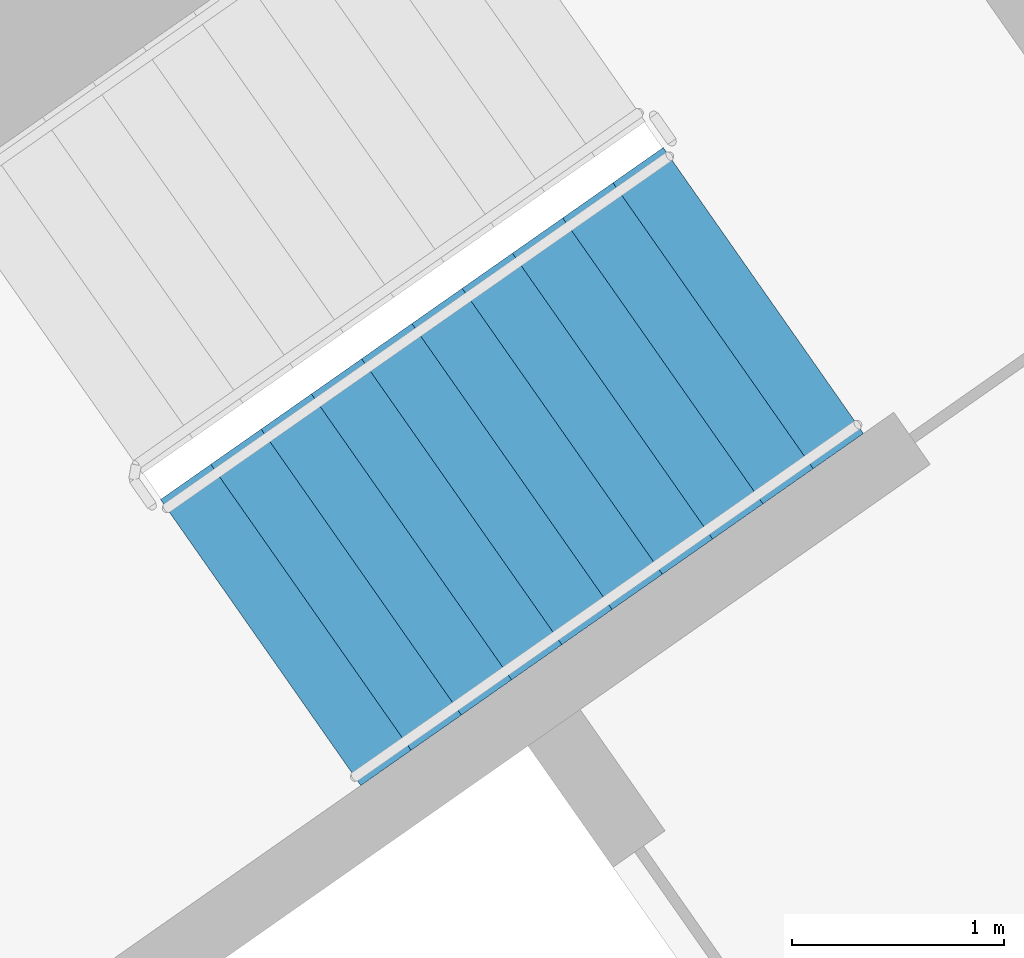
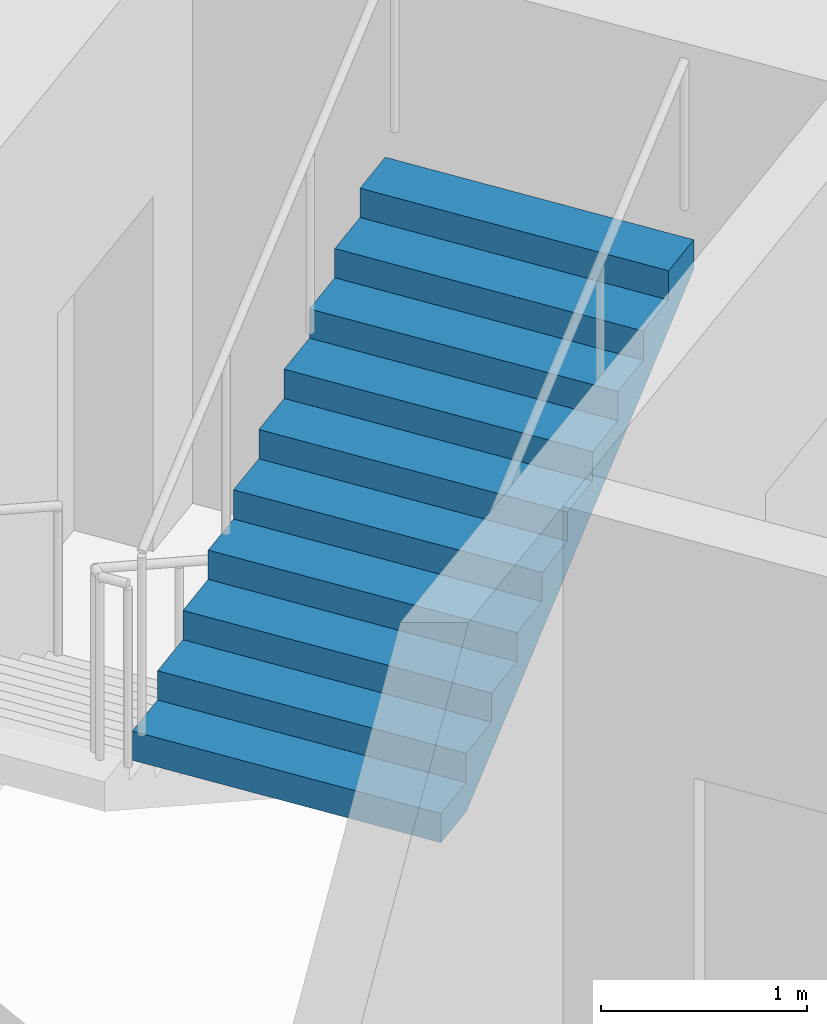
# One storey, part 15 of 29: 1 stair flight, 1 element without a shape of its own.
"""IFC4 building model written with IfcOpenShell, lengths in metres."""

from ifc_helpers import new_model, si_unit, direction, frame, origin, place, context, subcontext, project, spatial, faceted_brep, material, type_object, element, aggregate, save


model = new_model("IFC4")

# Units and contexts
model_context = context("Model", 3, precision=1e-05, world=origin(), true_north=direction((0.0, 1.0)))
body_context = subcontext(model_context, "Body", "Model", "MODEL_VIEW")
ifc_project = project(units=[si_unit("LENGTHUNIT", "METRE"), si_unit("AREAUNIT", "SQUARE_METRE"), si_unit("VOLUMEUNIT", "CUBIC_METRE"), si_unit("PLANEANGLEUNIT", "RADIAN"), si_unit("MASSUNIT", "GRAM", prefix="KILO")], contexts=[model_context])

# Site, building, storey
site_placement = place(None, origin())
site = spatial("IfcSite", under=ifc_project, at=site_placement, CompositionType="ELEMENT")
building_placement = place(site_placement, origin())
building = spatial("IfcBuilding", under=site, at=building_placement, Name="Qamariyya Broadcast Tower", CompositionType="ELEMENT")
storey_placement = place(building_placement, frame((0.0, 0.0, 44.300048828125)))
storey = spatial("IfcBuildingStorey", under=building, at=storey_placement, Name="L07", CompositionType="ELEMENT", Elevation=44.300048828125)

# Stair, stair flight
ifc_material = material(Name="Concrete C50/60", Category="concrete")
stair_type = type_object("IfcStairType", Name="Exit stair 22 risers of 173 mm", PredefinedType="HALF_TURN_STAIR", material=ifc_material)
stair_placement = place(storey_placement, origin())
stair = element("IfcStair", 1, at=stair_placement, inside=storey, type_object=stair_type, Name="L07 Stair E2", PredefinedType="HALF_TURN_STAIR")
stair_flight_type = type_object("IfcStairFlightType", Name="Exit stair flight 11 risers of 173 mm", PredefinedType="STRAIGHT", material=ifc_material)
stair_flight_placement = place(storey_placement, frame((39.215576171875, -50.822998046875, 1.89990234375), z_axis=(0.0, 0.0, 1.0), x_axis=(0.819152044289, 0.573576436351, 0.0)))
stair_flight = element("IfcStairFlight", 2, at=stair_flight_placement, type_object=stair_flight_type, Name="ST-E2 flight 2", NumberOfRisers=11, NumberOfTreads=10, PredefinedType="STRAIGHT", RiserHeight=0.172727273, TreadLength=0.29, context=body_context, shape_type="Brep", body=[
    faceted_brep([(0.0, 0.824951171875, 0.0), (0.0, 0.824951171875, 0.172607421875), (0.2900390625, 0.824951171875, 0.172607421875), (0.2900390625, 0.824951171875, 0.345458984375), (0.580078125, 0.824951171875, 0.345458984375), (0.580078125, 0.824951171875, 0.51806640625), (0.8701171875, 0.824951171875, 0.51806640625), (0.8701171875, 0.824951171875, 0.69091796875), (1.159912109375, 0.824951171875, 0.69091796875), (1.159912109375, 0.824951171875, 0.863525390625), (1.449951171875, 0.824951171875, 0.863525390625), (1.449951171875, 0.824951171875, 1.036376953125), (1.739990234375, 0.824951171875, 1.036376953125), (1.739990234375, 0.824951171875, 1.208984375), (2.030029296875, 0.824951171875, 1.208984375), (2.030029296875, 0.824951171875, 1.3818359375), (2.320068359375, 0.824951171875, 1.3818359375), (2.320068359375, 0.824951171875, 1.554443359375), (2.610107421875, 0.824951171875, 1.554443359375), (2.610107421875, 0.824951171875, 1.727294921875), (2.89990234375, 0.824951171875, 1.727294921875), (2.89990234375, 0.824951171875, 1.552734375), (0.29296875, 0.824951171875, 0.0), (0.29296875, -0.824951171875, 0.0), (2.89990234375, -0.824951171875, 1.552734375), (2.89990234375, -0.824951171875, 1.727294921875), (2.610107421875, -0.824951171875, 1.727294921875), (2.610107421875, -0.824951171875, 1.554443359375), (2.320068359375, -0.824951171875, 1.554443359375), (2.320068359375, -0.824951171875, 1.3818359375), (2.030029296875, -0.824951171875, 1.3818359375), (2.030029296875, -0.824951171875, 1.208984375), (1.739990234375, -0.824951171875, 1.208984375), (1.739990234375, -0.824951171875, 1.036376953125), (1.449951171875, -0.824951171875, 1.036376953125), (1.449951171875, -0.824951171875, 0.863525390625), (1.159912109375, -0.824951171875, 0.863525390625), (1.159912109375, -0.824951171875, 0.69091796875), (0.8701171875, -0.824951171875, 0.69091796875), (0.8701171875, -0.824951171875, 0.51806640625), (0.580078125, -0.824951171875, 0.51806640625), (0.580078125, -0.824951171875, 0.345458984375), (0.2900390625, -0.824951171875, 0.345458984375), (0.2900390625, -0.824951171875, 0.172607421875), (0.0, -0.824951171875, 0.172607421875), (0.0, -0.824951171875, 0.0), (0.0, 0.10009765625, 0.0), (0.0, 0.086669921875, 0.0), (0.0, 0.0732421875, 0.0), (0.0, 0.06005859375, 0.0), (0.0, 0.046630859375, 0.0), (0.0, 0.033447265625, 0.0), (0.0, 0.02001953125, 0.0), (0.0, 0.006591796875, 0.0), (0.0, -0.006591796875, 0.0), (0.0, -0.02001953125, 0.0), (0.0, -0.033447265625, 0.0), (0.0, -0.046630859375, 0.0), (0.0, -0.06005859375, 0.0), (0.0, -0.0732421875, 0.0), (0.0, -0.086669921875, 0.0), (0.0, -0.10009765625, 0.0), (0.0, -0.10009765625, 0.172607421875), (0.0, -0.086669921875, 0.172607421875), (0.0, -0.0732421875, 0.172607421875), (0.0, -0.06005859375, 0.172607421875), (0.0, -0.046630859375, 0.172607421875), (0.0, -0.033447265625, 0.172607421875), (0.0, -0.02001953125, 0.172607421875), (0.0, -0.006591796875, 0.172607421875), (0.0, 0.006591796875, 0.172607421875), (0.0, 0.02001953125, 0.172607421875), (0.0, 0.033447265625, 0.172607421875), (0.0, 0.046630859375, 0.172607421875), (0.0, 0.06005859375, 0.172607421875), (0.0, 0.0732421875, 0.172607421875), (0.0, 0.086669921875, 0.172607421875), (0.0, 0.10009765625, 0.172607421875), (0.2900390625, -0.10009765625, 0.172607421875), (0.2900390625, -0.086669921875, 0.172607421875), (0.2900390625, -0.0732421875, 0.172607421875), (0.2900390625, -0.06005859375, 0.172607421875), (0.2900390625, -0.046630859375, 0.172607421875), (0.2900390625, -0.033447265625, 0.172607421875), (0.2900390625, -0.02001953125, 0.172607421875), (0.2900390625, -0.006591796875, 0.172607421875), (0.2900390625, 0.006591796875, 0.172607421875), (0.2900390625, 0.02001953125, 0.172607421875), (0.2900390625, 0.033447265625, 0.172607421875), (0.2900390625, 0.046630859375, 0.172607421875), (0.2900390625, 0.06005859375, 0.172607421875), (0.2900390625, 0.0732421875, 0.172607421875), (0.2900390625, 0.086669921875, 0.172607421875), (0.2900390625, 0.10009765625, 0.172607421875), (0.2900390625, -0.10009765625, 0.345458984375), (0.2900390625, -0.086669921875, 0.345458984375), (0.2900390625, -0.0732421875, 0.345458984375), (0.2900390625, -0.06005859375, 0.345458984375), (0.2900390625, -0.046630859375, 0.345458984375), (0.2900390625, -0.033447265625, 0.345458984375), (0.2900390625, -0.02001953125, 0.345458984375), (0.2900390625, -0.006591796875, 0.345458984375), (0.2900390625, 0.006591796875, 0.345458984375), (0.2900390625, 0.02001953125, 0.345458984375), (0.2900390625, 0.033447265625, 0.345458984375), (0.2900390625, 0.046630859375, 0.345458984375), (0.2900390625, 0.06005859375, 0.345458984375), (0.2900390625, 0.0732421875, 0.345458984375), (0.2900390625, 0.086669921875, 0.345458984375), (0.2900390625, 0.10009765625, 0.345458984375), (0.580078125, -0.10009765625, 0.345458984375), (0.580078125, -0.086669921875, 0.345458984375), (0.580078125, -0.0732421875, 0.345458984375), (0.580078125, -0.06005859375, 0.345458984375), (0.580078125, -0.046630859375, 0.345458984375), (0.580078125, -0.033447265625, 0.345458984375), (0.580078125, -0.02001953125, 0.345458984375), (0.580078125, -0.006591796875, 0.345458984375), (0.580078125, 0.006591796875, 0.345458984375), (0.580078125, 0.02001953125, 0.345458984375), (0.580078125, 0.033447265625, 0.345458984375), (0.580078125, 0.046630859375, 0.345458984375), (0.580078125, 0.06005859375, 0.345458984375), (0.580078125, 0.0732421875, 0.345458984375), (0.580078125, 0.086669921875, 0.345458984375), (0.580078125, 0.10009765625, 0.345458984375), (0.580078125, -0.10009765625, 0.51806640625), (0.580078125, -0.086669921875, 0.51806640625), (0.580078125, -0.0732421875, 0.51806640625), (0.580078125, -0.06005859375, 0.51806640625), (0.580078125, -0.046630859375, 0.51806640625), (0.580078125, -0.033447265625, 0.51806640625), (0.580078125, -0.02001953125, 0.51806640625), (0.580078125, -0.006591796875, 0.51806640625), (0.580078125, 0.006591796875, 0.51806640625), (0.580078125, 0.02001953125, 0.51806640625), (0.580078125, 0.033447265625, 0.51806640625), (0.580078125, 0.046630859375, 0.51806640625), (0.580078125, 0.06005859375, 0.51806640625), (0.580078125, 0.0732421875, 0.51806640625), (0.580078125, 0.086669921875, 0.51806640625), (0.580078125, 0.10009765625, 0.51806640625), (0.8701171875, -0.10009765625, 0.51806640625), (0.8701171875, -0.086669921875, 0.51806640625), (0.8701171875, -0.0732421875, 0.51806640625), (0.8701171875, -0.06005859375, 0.51806640625), (0.8701171875, -0.046630859375, 0.51806640625), (0.8701171875, -0.033447265625, 0.51806640625), (0.8701171875, -0.02001953125, 0.51806640625), (0.8701171875, -0.006591796875, 0.51806640625), (0.8701171875, 0.006591796875, 0.51806640625), (0.8701171875, 0.02001953125, 0.51806640625), (0.8701171875, 0.033447265625, 0.51806640625), (0.8701171875, 0.046630859375, 0.51806640625), (0.8701171875, 0.06005859375, 0.51806640625), (0.8701171875, 0.0732421875, 0.51806640625), (0.8701171875, 0.086669921875, 0.51806640625), (0.8701171875, 0.10009765625, 0.51806640625), (0.8701171875, -0.10009765625, 0.69091796875), (0.8701171875, -0.086669921875, 0.69091796875), (0.8701171875, -0.0732421875, 0.69091796875), (0.8701171875, -0.06005859375, 0.69091796875), (0.8701171875, -0.046630859375, 0.69091796875), (0.8701171875, -0.033447265625, 0.69091796875), (0.8701171875, -0.02001953125, 0.69091796875), (0.8701171875, -0.006591796875, 0.69091796875), (0.8701171875, 0.006591796875, 0.69091796875), (0.8701171875, 0.02001953125, 0.69091796875), (0.8701171875, 0.033447265625, 0.69091796875), (0.8701171875, 0.046630859375, 0.69091796875), (0.8701171875, 0.06005859375, 0.69091796875), (0.8701171875, 0.0732421875, 0.69091796875), (0.8701171875, 0.086669921875, 0.69091796875), (0.8701171875, 0.10009765625, 0.69091796875), (1.159912109375, -0.10009765625, 0.69091796875), (1.159912109375, -0.086669921875, 0.69091796875), (1.159912109375, -0.0732421875, 0.69091796875), (1.159912109375, -0.06005859375, 0.69091796875), (1.159912109375, -0.046630859375, 0.69091796875), (1.159912109375, -0.033447265625, 0.69091796875), (1.159912109375, -0.02001953125, 0.69091796875), (1.159912109375, -0.006591796875, 0.69091796875), (1.159912109375, 0.006591796875, 0.69091796875), (1.159912109375, 0.02001953125, 0.69091796875), (1.159912109375, 0.033447265625, 0.69091796875), (1.159912109375, 0.046630859375, 0.69091796875), (1.159912109375, 0.06005859375, 0.69091796875), (1.159912109375, 0.0732421875, 0.69091796875), (1.159912109375, 0.086669921875, 0.69091796875), (1.159912109375, 0.10009765625, 0.69091796875), (1.159912109375, -0.10009765625, 0.863525390625), (1.159912109375, -0.086669921875, 0.863525390625), (1.159912109375, -0.0732421875, 0.863525390625), (1.159912109375, -0.06005859375, 0.863525390625), (1.159912109375, -0.046630859375, 0.863525390625), (1.159912109375, -0.033447265625, 0.863525390625), (1.159912109375, -0.02001953125, 0.863525390625), (1.159912109375, -0.006591796875, 0.863525390625), (1.159912109375, 0.006591796875, 0.863525390625), (1.159912109375, 0.02001953125, 0.863525390625), (1.159912109375, 0.033447265625, 0.863525390625), (1.159912109375, 0.046630859375, 0.863525390625), (1.159912109375, 0.06005859375, 0.863525390625), (1.159912109375, 0.0732421875, 0.863525390625), (1.159912109375, 0.086669921875, 0.863525390625), (1.159912109375, 0.10009765625, 0.863525390625), (1.449951171875, -0.10009765625, 0.863525390625), (1.449951171875, -0.086669921875, 0.863525390625), (1.449951171875, -0.0732421875, 0.863525390625), (1.449951171875, -0.06005859375, 0.863525390625), (1.449951171875, -0.046630859375, 0.863525390625), (1.449951171875, -0.033447265625, 0.863525390625), (1.449951171875, -0.02001953125, 0.863525390625), (1.449951171875, -0.006591796875, 0.863525390625), (1.449951171875, 0.006591796875, 0.863525390625), (1.449951171875, 0.02001953125, 0.863525390625), (1.449951171875, 0.033447265625, 0.863525390625), (1.449951171875, 0.046630859375, 0.863525390625), (1.449951171875, 0.06005859375, 0.863525390625), (1.449951171875, 0.0732421875, 0.863525390625), (1.449951171875, 0.086669921875, 0.863525390625), (1.449951171875, 0.10009765625, 0.863525390625), (1.449951171875, -0.10009765625, 1.036376953125), (1.449951171875, -0.086669921875, 1.036376953125), (1.449951171875, -0.0732421875, 1.036376953125), (1.449951171875, -0.06005859375, 1.036376953125), (1.449951171875, -0.046630859375, 1.036376953125), (1.449951171875, -0.033447265625, 1.036376953125), (1.449951171875, -0.02001953125, 1.036376953125), (1.449951171875, -0.006591796875, 1.036376953125), (1.449951171875, 0.006591796875, 1.036376953125), (1.449951171875, 0.02001953125, 1.036376953125), (1.449951171875, 0.033447265625, 1.036376953125), (1.449951171875, 0.046630859375, 1.036376953125), (1.449951171875, 0.06005859375, 1.036376953125), (1.449951171875, 0.0732421875, 1.036376953125), (1.449951171875, 0.086669921875, 1.036376953125), (1.449951171875, 0.10009765625, 1.036376953125), (1.739990234375, -0.10009765625, 1.036376953125), (1.739990234375, -0.086669921875, 1.036376953125), (1.739990234375, -0.0732421875, 1.036376953125), (1.739990234375, -0.06005859375, 1.036376953125), (1.739990234375, -0.046630859375, 1.036376953125), (1.739990234375, -0.033447265625, 1.036376953125), (1.739990234375, -0.02001953125, 1.036376953125), (1.739990234375, -0.006591796875, 1.036376953125), (1.739990234375, 0.006591796875, 1.036376953125), (1.739990234375, 0.02001953125, 1.036376953125), (1.739990234375, 0.033447265625, 1.036376953125), (1.739990234375, 0.046630859375, 1.036376953125), (1.739990234375, 0.06005859375, 1.036376953125), (1.739990234375, 0.0732421875, 1.036376953125), (1.739990234375, 0.086669921875, 1.036376953125), (1.739990234375, 0.10009765625, 1.036376953125), (1.739990234375, -0.10009765625, 1.208984375), (1.739990234375, -0.086669921875, 1.208984375), (1.739990234375, -0.0732421875, 1.208984375), (1.739990234375, -0.06005859375, 1.208984375), (1.739990234375, -0.046630859375, 1.208984375), (1.739990234375, -0.033447265625, 1.208984375), (1.739990234375, -0.02001953125, 1.208984375), (1.739990234375, -0.006591796875, 1.208984375), (1.739990234375, 0.006591796875, 1.208984375), (1.739990234375, 0.02001953125, 1.208984375), (1.739990234375, 0.033447265625, 1.208984375), (1.739990234375, 0.046630859375, 1.208984375), (1.739990234375, 0.06005859375, 1.208984375), (1.739990234375, 0.0732421875, 1.208984375), (1.739990234375, 0.086669921875, 1.208984375), (1.739990234375, 0.10009765625, 1.208984375), (2.030029296875, -0.10009765625, 1.208984375), (2.030029296875, -0.086669921875, 1.208984375), (2.030029296875, -0.0732421875, 1.208984375), (2.030029296875, -0.06005859375, 1.208984375), (2.030029296875, -0.046630859375, 1.208984375), (2.030029296875, -0.033447265625, 1.208984375), (2.030029296875, -0.02001953125, 1.208984375), (2.030029296875, -0.006591796875, 1.208984375), (2.030029296875, 0.006591796875, 1.208984375), (2.030029296875, 0.02001953125, 1.208984375), (2.030029296875, 0.033447265625, 1.208984375), (2.030029296875, 0.046630859375, 1.208984375), (2.030029296875, 0.06005859375, 1.208984375), (2.030029296875, 0.0732421875, 1.208984375), (2.030029296875, 0.086669921875, 1.208984375), (2.030029296875, 0.10009765625, 1.208984375), (2.030029296875, -0.10009765625, 1.3818359375), (2.030029296875, -0.086669921875, 1.3818359375), (2.030029296875, -0.0732421875, 1.3818359375), (2.030029296875, -0.06005859375, 1.3818359375), (2.030029296875, -0.046630859375, 1.3818359375), (2.030029296875, -0.033447265625, 1.3818359375), (2.030029296875, -0.02001953125, 1.3818359375), (2.030029296875, -0.006591796875, 1.3818359375), (2.030029296875, 0.006591796875, 1.3818359375), (2.030029296875, 0.02001953125, 1.3818359375), (2.030029296875, 0.033447265625, 1.3818359375), (2.030029296875, 0.046630859375, 1.3818359375), (2.030029296875, 0.06005859375, 1.3818359375), (2.030029296875, 0.0732421875, 1.3818359375), (2.030029296875, 0.086669921875, 1.3818359375), (2.030029296875, 0.10009765625, 1.3818359375), (2.320068359375, -0.10009765625, 1.3818359375), (2.320068359375, -0.086669921875, 1.3818359375), (2.320068359375, -0.0732421875, 1.3818359375), (2.320068359375, -0.06005859375, 1.3818359375), (2.320068359375, -0.046630859375, 1.3818359375), (2.320068359375, -0.033447265625, 1.3818359375), (2.320068359375, -0.02001953125, 1.3818359375), (2.320068359375, -0.006591796875, 1.3818359375), (2.320068359375, 0.006591796875, 1.3818359375), (2.320068359375, 0.02001953125, 1.3818359375), (2.320068359375, 0.033447265625, 1.3818359375), (2.320068359375, 0.046630859375, 1.3818359375), (2.320068359375, 0.06005859375, 1.3818359375), (2.320068359375, 0.0732421875, 1.3818359375), (2.320068359375, 0.086669921875, 1.3818359375), (2.320068359375, 0.10009765625, 1.3818359375), (2.320068359375, -0.10009765625, 1.554443359375), (2.320068359375, -0.086669921875, 1.554443359375), (2.320068359375, -0.0732421875, 1.554443359375), (2.320068359375, -0.06005859375, 1.554443359375), (2.320068359375, -0.046630859375, 1.554443359375), (2.320068359375, -0.033447265625, 1.554443359375), (2.320068359375, -0.02001953125, 1.554443359375), (2.320068359375, -0.006591796875, 1.554443359375), (2.320068359375, 0.006591796875, 1.554443359375), (2.320068359375, 0.02001953125, 1.554443359375), (2.320068359375, 0.033447265625, 1.554443359375), (2.320068359375, 0.046630859375, 1.554443359375), (2.320068359375, 0.06005859375, 1.554443359375), (2.320068359375, 0.0732421875, 1.554443359375), (2.320068359375, 0.086669921875, 1.554443359375), (2.320068359375, 0.10009765625, 1.554443359375), (2.610107421875, -0.10009765625, 1.554443359375), (2.610107421875, -0.086669921875, 1.554443359375), (2.610107421875, -0.0732421875, 1.554443359375), (2.610107421875, -0.06005859375, 1.554443359375), (2.610107421875, -0.046630859375, 1.554443359375), (2.610107421875, -0.033447265625, 1.554443359375), (2.610107421875, -0.02001953125, 1.554443359375), (2.610107421875, -0.006591796875, 1.554443359375), (2.610107421875, 0.006591796875, 1.554443359375), (2.610107421875, 0.02001953125, 1.554443359375), (2.610107421875, 0.033447265625, 1.554443359375), (2.610107421875, 0.046630859375, 1.554443359375), (2.610107421875, 0.06005859375, 1.554443359375), (2.610107421875, 0.0732421875, 1.554443359375), (2.610107421875, 0.086669921875, 1.554443359375), (2.610107421875, 0.10009765625, 1.554443359375), (2.610107421875, -0.10009765625, 1.727294921875), (2.610107421875, -0.086669921875, 1.727294921875), (2.610107421875, -0.0732421875, 1.727294921875), (2.610107421875, -0.06005859375, 1.727294921875), (2.610107421875, -0.046630859375, 1.727294921875), (2.610107421875, -0.033447265625, 1.727294921875), (2.610107421875, -0.02001953125, 1.727294921875), (2.610107421875, -0.006591796875, 1.727294921875), (2.610107421875, 0.006591796875, 1.727294921875), (2.610107421875, 0.02001953125, 1.727294921875), (2.610107421875, 0.033447265625, 1.727294921875), (2.610107421875, 0.046630859375, 1.727294921875), (2.610107421875, 0.06005859375, 1.727294921875), (2.610107421875, 0.0732421875, 1.727294921875), (2.610107421875, 0.086669921875, 1.727294921875), (2.610107421875, 0.10009765625, 1.727294921875), (2.89990234375, -0.10009765625, 1.727294921875), (2.89990234375, -0.086669921875, 1.727294921875), (2.89990234375, -0.0732421875, 1.727294921875), (2.89990234375, -0.06005859375, 1.727294921875), (2.89990234375, -0.046630859375, 1.727294921875), (2.89990234375, -0.033447265625, 1.727294921875), (2.89990234375, -0.02001953125, 1.727294921875), (2.89990234375, -0.006591796875, 1.727294921875), (2.89990234375, 0.006591796875, 1.727294921875), (2.89990234375, 0.02001953125, 1.727294921875), (2.89990234375, 0.033447265625, 1.727294921875), (2.89990234375, 0.046630859375, 1.727294921875), (2.89990234375, 0.06005859375, 1.727294921875), (2.89990234375, 0.0732421875, 1.727294921875), (2.89990234375, 0.086669921875, 1.727294921875), (2.89990234375, 0.10009765625, 1.727294921875), (2.89990234375, -0.10009765625, 1.552734375), (2.89990234375, -0.086669921875, 1.552734375), (2.89990234375, -0.0732421875, 1.552734375), (2.89990234375, -0.06005859375, 1.552734375), (2.89990234375, -0.046630859375, 1.552734375), (2.89990234375, -0.033447265625, 1.552734375), (2.89990234375, -0.02001953125, 1.552734375), (2.89990234375, -0.006591796875, 1.552734375), (2.89990234375, 0.006591796875, 1.552734375), (2.89990234375, 0.02001953125, 1.552734375), (2.89990234375, 0.033447265625, 1.552734375), (2.89990234375, 0.046630859375, 1.552734375), (2.89990234375, 0.06005859375, 1.552734375), (2.89990234375, 0.0732421875, 1.552734375), (2.89990234375, 0.086669921875, 1.552734375), (2.89990234375, 0.10009765625, 1.552734375), (0.29296875, -0.10009765625, 0.0), (0.29296875, -0.086669921875, 0.0), (0.29296875, -0.0732421875, 0.0), (0.29296875, -0.06005859375, 0.0), (0.29296875, -0.046630859375, 0.0), (0.29296875, -0.033447265625, 0.0), (0.29296875, -0.02001953125, 0.0), (0.29296875, -0.006591796875, 0.0), (0.29296875, 0.006591796875, 0.0), (0.29296875, 0.02001953125, 0.0), (0.29296875, 0.033447265625, 0.0), (0.29296875, 0.046630859375, 0.0), (0.29296875, 0.06005859375, 0.0), (0.29296875, 0.0732421875, 0.0), (0.29296875, 0.086669921875, 0.0), (0.29296875, 0.10009765625, 0.0)], [[[0, 1, 2, 3, 4, 5, 6, 7, 8, 9, 10, 11, 12, 13, 14, 15, 16, 17, 18, 19, 20, 21, 22]], [[23, 24, 25, 26, 27, 28, 29, 30, 31, 32, 33, 34, 35, 36, 37, 38, 39, 40, 41, 42, 43, 44, 45]], [[0, 46, 47, 48, 49, 50, 51, 52, 53, 54, 55, 56, 57, 58, 59, 60, 61, 45, 44, 62, 63, 64, 65, 66, 67, 68, 69, 70, 71, 72, 73, 74, 75, 76, 77, 1]], [[1, 77, 76, 75, 74, 73, 72, 71, 70, 69, 68, 67, 66, 65, 64, 63, 62, 44, 43, 78, 79, 80, 81, 82, 83, 84, 85, 86, 87, 88, 89, 90, 91, 92, 93, 2]], [[2, 93, 92, 91, 90, 89, 88, 87, 86, 85, 84, 83, 82, 81, 80, 79, 78, 43, 42, 94, 95, 96, 97, 98, 99, 100, 101, 102, 103, 104, 105, 106, 107, 108, 109, 3]], [[3, 109, 108, 107, 106, 105, 104, 103, 102, 101, 100, 99, 98, 97, 96, 95, 94, 42, 41, 110, 111, 112, 113, 114, 115, 116, 117, 118, 119, 120, 121, 122, 123, 124, 125, 4]], [[4, 125, 124, 123, 122, 121, 120, 119, 118, 117, 116, 115, 114, 113, 112, 111, 110, 41, 40, 126, 127, 128, 129, 130, 131, 132, 133, 134, 135, 136, 137, 138, 139, 140, 141, 5]], [[5, 141, 140, 139, 138, 137, 136, 135, 134, 133, 132, 131, 130, 129, 128, 127, 126, 40, 39, 142, 143, 144, 145, 146, 147, 148, 149, 150, 151, 152, 153, 154, 155, 156, 157, 6]], [[6, 157, 156, 155, 154, 153, 152, 151, 150, 149, 148, 147, 146, 145, 144, 143, 142, 39, 38, 158, 159, 160, 161, 162, 163, 164, 165, 166, 167, 168, 169, 170, 171, 172, 173, 7]], [[7, 173, 172, 171, 170, 169, 168, 167, 166, 165, 164, 163, 162, 161, 160, 159, 158, 38, 37, 174, 175, 176, 177, 178, 179, 180, 181, 182, 183, 184, 185, 186, 187, 188, 189, 8]], [[8, 189, 188, 187, 186, 185, 184, 183, 182, 181, 180, 179, 178, 177, 176, 175, 174, 37, 36, 190, 191, 192, 193, 194, 195, 196, 197, 198, 199, 200, 201, 202, 203, 204, 205, 9]], [[9, 205, 204, 203, 202, 201, 200, 199, 198, 197, 196, 195, 194, 193, 192, 191, 190, 36, 35, 206, 207, 208, 209, 210, 211, 212, 213, 214, 215, 216, 217, 218, 219, 220, 221, 10]], [[10, 221, 220, 219, 218, 217, 216, 215, 214, 213, 212, 211, 210, 209, 208, 207, 206, 35, 34, 222, 223, 224, 225, 226, 227, 228, 229, 230, 231, 232, 233, 234, 235, 236, 237, 11]], [[11, 237, 236, 235, 234, 233, 232, 231, 230, 229, 228, 227, 226, 225, 224, 223, 222, 34, 33, 238, 239, 240, 241, 242, 243, 244, 245, 246, 247, 248, 249, 250, 251, 252, 253, 12]], [[12, 253, 252, 251, 250, 249, 248, 247, 246, 245, 244, 243, 242, 241, 240, 239, 238, 33, 32, 254, 255, 256, 257, 258, 259, 260, 261, 262, 263, 264, 265, 266, 267, 268, 269, 13]], [[13, 269, 268, 267, 266, 265, 264, 263, 262, 261, 260, 259, 258, 257, 256, 255, 254, 32, 31, 270, 271, 272, 273, 274, 275, 276, 277, 278, 279, 280, 281, 282, 283, 284, 285, 14]], [[14, 285, 284, 283, 282, 281, 280, 279, 278, 277, 276, 275, 274, 273, 272, 271, 270, 31, 30, 286, 287, 288, 289, 290, 291, 292, 293, 294, 295, 296, 297, 298, 299, 300, 301, 15]], [[15, 301, 300, 299, 298, 297, 296, 295, 294, 293, 292, 291, 290, 289, 288, 287, 286, 30, 29, 302, 303, 304, 305, 306, 307, 308, 309, 310, 311, 312, 313, 314, 315, 316, 317, 16]], [[16, 317, 316, 315, 314, 313, 312, 311, 310, 309, 308, 307, 306, 305, 304, 303, 302, 29, 28, 318, 319, 320, 321, 322, 323, 324, 325, 326, 327, 328, 329, 330, 331, 332, 333, 17]], [[17, 333, 332, 331, 330, 329, 328, 327, 326, 325, 324, 323, 322, 321, 320, 319, 318, 28, 27, 334, 335, 336, 337, 338, 339, 340, 341, 342, 343, 344, 345, 346, 347, 348, 349, 18]], [[18, 349, 348, 347, 346, 345, 344, 343, 342, 341, 340, 339, 338, 337, 336, 335, 334, 27, 26, 350, 351, 352, 353, 354, 355, 356, 357, 358, 359, 360, 361, 362, 363, 364, 365, 19]], [[19, 365, 364, 363, 362, 361, 360, 359, 358, 357, 356, 355, 354, 353, 352, 351, 350, 26, 25, 366, 367, 368, 369, 370, 371, 372, 373, 374, 375, 376, 377, 378, 379, 380, 381, 20]], [[20, 381, 380, 379, 378, 377, 376, 375, 374, 373, 372, 371, 370, 369, 368, 367, 366, 25, 24, 382, 383, 384, 385, 386, 387, 388, 389, 390, 391, 392, 393, 394, 395, 396, 397, 21]], [[21, 397, 396, 395, 394, 393, 392, 391, 390, 389, 388, 387, 386, 385, 384, 383, 382, 24, 23, 398, 399, 400, 401, 402, 403, 404, 405, 406, 407, 408, 409, 410, 411, 412, 413, 22]], [[22, 413, 412, 411, 410, 409, 408, 407, 406, 405, 404, 403, 402, 401, 400, 399, 398, 23, 45, 61, 60, 59, 58, 57, 56, 55, 54, 53, 52, 51, 50, 49, 48, 47, 46, 0]]]),
])
aggregate(stair, [stair_flight])

save(model, "model.ifc")
